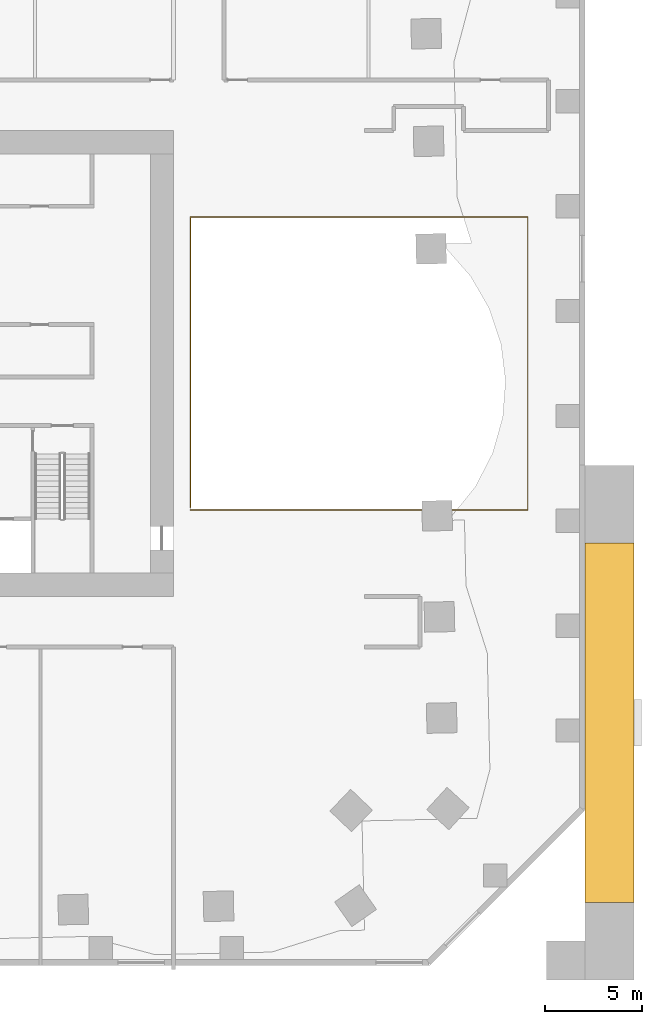
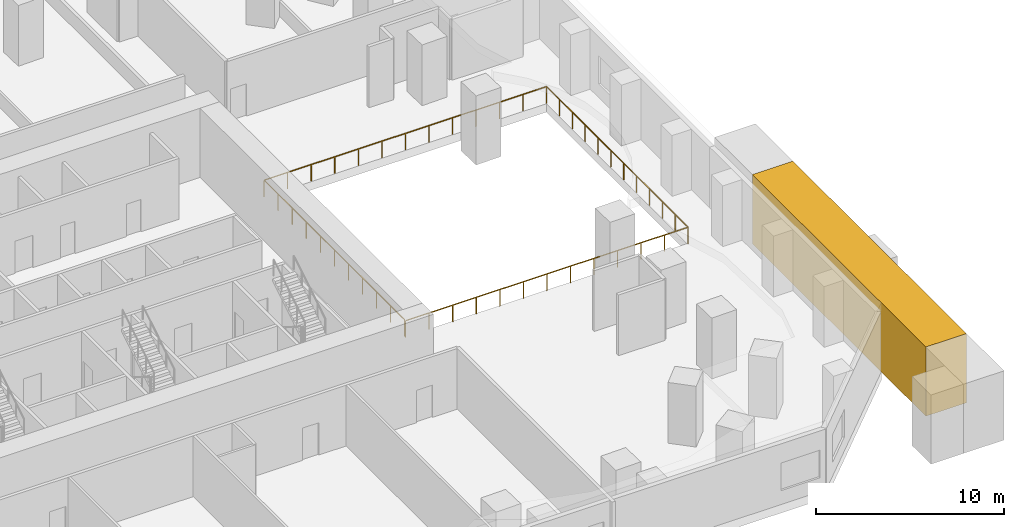
# One storey, part 12 of 12: 1 covering, 1 railing.
"""IFC4 building model written with IfcOpenShell, lengths in metres."""

from ifc_helpers import new_model, si_unit, direction, frame, frame_2d, origin, origin_2d, place, context, subcontext, project, spatial, rectangle, extrude, material, layer, layer_set, type_object, element, save


model = new_model("IFC4")

# Units and contexts
model_context = context("Model", 3, precision=1e-05, world=origin(), true_north=direction((0.0, 1.0)))
body_context = subcontext(model_context, "Body", "Model", "MODEL_VIEW")
ifc_project = project(units=[si_unit("LENGTHUNIT", "METRE"), si_unit("AREAUNIT", "SQUARE_METRE"), si_unit("VOLUMEUNIT", "CUBIC_METRE"), si_unit("PLANEANGLEUNIT", "RADIAN"), si_unit("MASSUNIT", "GRAM", prefix="KILO")], contexts=[model_context])

# Site, building, storey
site_placement = place(None, origin())
site = spatial("IfcSite", under=ifc_project, at=site_placement, CompositionType="ELEMENT")
building_placement = place(site_placement, origin())
building = spatial("IfcBuilding", under=site, at=building_placement, Name="Mangrove Gate Tower", CompositionType="ELEMENT")
storey_placement = place(building_placement, frame((0.0, 0.0, 25.0)))
storey = spatial("IfcBuildingStorey", under=building, at=storey_placement, Name="L05", CompositionType="ELEMENT", Elevation=25.0)

# Railing
ifc_material_1 = material(Name="Stainless steel grade 316 with laminated glass infill", Category="steel")
railing_type = type_object("IfcRailingType", Name="Balcony guard 1100", PredefinedType="GUARDRAIL", material=ifc_material_1)
railing_placement = place(storey_placement, frame((15.860107421875, -7.5400390625, 0.0)))
element("IfcRailing", 1, at=railing_placement, inside=storey, type_object=railing_type, Name="GUARD L05 atrium", PredefinedType="GUARDRAIL", context=body_context, shape_type="SweptSolid", body=[
    extrude(rectangle(XDim=0.048095703125, YDim=0.048095703125, at=origin_2d()), frame((0.0, 0.0, 1.076171875), z_axis=(1.0, 0.0, 0.0), x_axis=(0.0, 1.0, 0.0)), (0.0, 0.0, 1.0), 17.3798828125),
    extrude(rectangle(XDim=0.048095703125, YDim=0.048095703125, at=origin_2d()), frame((17.3798828125, 0.0, 1.076171875), z_axis=(0.0, 1.0, 0.0), x_axis=(-1.0, 0.0, 0.0)), (0.0, 0.0, 1.0), 15.080078125),
    extrude(rectangle(XDim=0.048095703125, YDim=0.048095703125, at=origin_2d()), frame((17.3798828125, 15.080078125, 1.076171875), z_axis=(-1.0, 0.0, 0.0), x_axis=(0.0, -1.0, 0.0)), (0.0, 0.0, 1.0), 17.3798828125),
    extrude(rectangle(XDim=0.048095703125, YDim=0.048095703125, at=origin_2d()), frame((0.0, 15.080078125, 1.076171875), z_axis=(0.0, -1.0, 0.0), x_axis=(1.0, 0.0, 0.0)), (0.0, 0.0, 1.0), 14.9599609375),
    extrude(rectangle(XDim=0.0419921875, YDim=0.0419921875, at=origin_2d()), origin(), (0.0, 0.0, 1.0), 1.052001953125),
    extrude(rectangle(XDim=0.0419921875, YDim=0.0419921875, at=origin_2d()), frame((1.4482421875, 0.0, 0.0)), (0.0, 0.0, 1.0), 1.052001953125),
    extrude(rectangle(XDim=0.0419921875, YDim=0.0419921875, at=origin_2d()), frame((2.896728515625, 0.0, 0.0)), (0.0, 0.0, 1.0), 1.052001953125),
    extrude(rectangle(XDim=0.0419921875, YDim=0.0419921875, at=origin_2d()), frame((4.344970703125, 0.0, 0.0)), (0.0, 0.0, 1.0), 1.052001953125),
    extrude(rectangle(XDim=0.0419921875, YDim=0.0419921875, at=origin_2d()), frame((5.793212890625, 0.0, 0.0)), (0.0, 0.0, 1.0), 1.052001953125),
    extrude(rectangle(XDim=0.0419921875, YDim=0.0419921875, at=origin_2d()), frame((7.24169921875, 0.0, 0.0)), (0.0, 0.0, 1.0), 1.052001953125),
    extrude(rectangle(XDim=0.0419921875, YDim=0.0419921875, at=origin_2d()), frame((8.68994140625, 0.0, 0.0)), (0.0, 0.0, 1.0), 1.052001953125),
    extrude(rectangle(XDim=0.0419921875, YDim=0.0419921875, at=origin_2d()), frame((10.13818359375, 0.0, 0.0)), (0.0, 0.0, 1.0), 1.052001953125),
    extrude(rectangle(XDim=0.0419921875, YDim=0.0419921875, at=origin_2d()), frame((11.586669921875, 0.0, 0.0)), (0.0, 0.0, 1.0), 1.052001953125),
    extrude(rectangle(XDim=0.0419921875, YDim=0.0419921875, at=origin_2d()), frame((13.034912109375, 0.0, 0.0)), (0.0, 0.0, 1.0), 1.052001953125),
    extrude(rectangle(XDim=0.0419921875, YDim=0.0419921875, at=origin_2d()), frame((14.483154296875, 0.0, 0.0)), (0.0, 0.0, 1.0), 1.052001953125),
    extrude(rectangle(XDim=0.0419921875, YDim=0.0419921875, at=origin_2d()), frame((15.931640625, 0.0, 0.0)), (0.0, 0.0, 1.0), 1.052001953125),
    extrude(rectangle(XDim=0.0419921875, YDim=0.0419921875, at=origin_2d()), frame((17.3798828125, 0.0, 0.0)), (0.0, 0.0, 1.0), 1.052001953125),
    extrude(rectangle(XDim=0.0419921875, YDim=0.0419921875, at=origin_2d()), frame((17.3798828125, 1.370849609375, 0.0)), (0.0, 0.0, 1.0), 1.052001953125),
    extrude(rectangle(XDim=0.0419921875, YDim=0.0419921875, at=origin_2d()), frame((17.3798828125, 2.741943359375, 0.0)), (0.0, 0.0, 1.0), 1.052001953125),
    extrude(rectangle(XDim=0.0419921875, YDim=0.0419921875, at=origin_2d()), frame((17.3798828125, 4.11279296875, 0.0)), (0.0, 0.0, 1.0), 1.052001953125),
    extrude(rectangle(XDim=0.0419921875, YDim=0.0419921875, at=origin_2d()), frame((17.3798828125, 5.483642578125, 0.0)), (0.0, 0.0, 1.0), 1.052001953125),
    extrude(rectangle(XDim=0.0419921875, YDim=0.0419921875, at=origin_2d()), frame((17.3798828125, 6.8544921875, 0.0)), (0.0, 0.0, 1.0), 1.052001953125),
    extrude(rectangle(XDim=0.0419921875, YDim=0.0419921875, at=origin_2d()), frame((17.3798828125, 8.2255859375, 0.0)), (0.0, 0.0, 1.0), 1.052001953125),
    extrude(rectangle(XDim=0.0419921875, YDim=0.0419921875, at=origin_2d()), frame((17.3798828125, 9.596435546875, 0.0)), (0.0, 0.0, 1.0), 1.052001953125),
    extrude(rectangle(XDim=0.0419921875, YDim=0.0419921875, at=origin_2d()), frame((17.3798828125, 10.96728515625, 0.0)), (0.0, 0.0, 1.0), 1.052001953125),
    extrude(rectangle(XDim=0.0419921875, YDim=0.0419921875, at=origin_2d()), frame((17.3798828125, 12.338134765625, 0.0)), (0.0, 0.0, 1.0), 1.052001953125),
    extrude(rectangle(XDim=0.0419921875, YDim=0.0419921875, at=origin_2d()), frame((17.3798828125, 13.709228515625, 0.0)), (0.0, 0.0, 1.0), 1.052001953125),
    extrude(rectangle(XDim=0.0419921875, YDim=0.0419921875, at=origin_2d()), frame((17.3798828125, 15.080078125, 0.0)), (0.0, 0.0, 1.0), 1.052001953125),
    extrude(rectangle(XDim=0.0419921875, YDim=0.0419921875, at=origin_2d()), frame((15.931640625, 15.080078125, 0.0)), (0.0, 0.0, 1.0), 1.052001953125),
    extrude(rectangle(XDim=0.0419921875, YDim=0.0419921875, at=origin_2d()), frame((14.483154296875, 15.080078125, 0.0)), (0.0, 0.0, 1.0), 1.052001953125),
    extrude(rectangle(XDim=0.0419921875, YDim=0.0419921875, at=origin_2d()), frame((13.034912109375, 15.080078125, 0.0)), (0.0, 0.0, 1.0), 1.052001953125),
    extrude(rectangle(XDim=0.0419921875, YDim=0.0419921875, at=origin_2d()), frame((11.586669921875, 15.080078125, 0.0)), (0.0, 0.0, 1.0), 1.052001953125),
    extrude(rectangle(XDim=0.0419921875, YDim=0.0419921875, at=origin_2d()), frame((10.13818359375, 15.080078125, 0.0)), (0.0, 0.0, 1.0), 1.052001953125),
    extrude(rectangle(XDim=0.0419921875, YDim=0.0419921875, at=origin_2d()), frame((8.68994140625, 15.080078125, 0.0)), (0.0, 0.0, 1.0), 1.052001953125),
    extrude(rectangle(XDim=0.0419921875, YDim=0.0419921875, at=origin_2d()), frame((7.24169921875, 15.080078125, 0.0)), (0.0, 0.0, 1.0), 1.052001953125),
    extrude(rectangle(XDim=0.0419921875, YDim=0.0419921875, at=origin_2d()), frame((5.793212890625, 15.080078125, 0.0)), (0.0, 0.0, 1.0), 1.052001953125),
    extrude(rectangle(XDim=0.0419921875, YDim=0.0419921875, at=origin_2d()), frame((4.344970703125, 15.080078125, 0.0)), (0.0, 0.0, 1.0), 1.052001953125),
    extrude(rectangle(XDim=0.0419921875, YDim=0.0419921875, at=origin_2d()), frame((2.896728515625, 15.080078125, 0.0)), (0.0, 0.0, 1.0), 1.052001953125),
    extrude(rectangle(XDim=0.0419921875, YDim=0.0419921875, at=origin_2d()), frame((1.4482421875, 15.080078125, 0.0)), (0.0, 0.0, 1.0), 1.052001953125),
    extrude(rectangle(XDim=0.0419921875, YDim=0.0419921875, at=origin_2d()), frame((0.0, 15.080078125, 0.0)), (0.0, 0.0, 1.0), 1.052001953125),
    extrude(rectangle(XDim=0.0419921875, YDim=0.0419921875, at=origin_2d()), frame((0.0, 13.583984375, 0.0)), (0.0, 0.0, 1.0), 1.052001953125),
    extrude(rectangle(XDim=0.0419921875, YDim=0.0419921875, at=origin_2d()), frame((0.0, 12.088134765625, 0.0)), (0.0, 0.0, 1.0), 1.052001953125),
    extrude(rectangle(XDim=0.0419921875, YDim=0.0419921875, at=origin_2d()), frame((0.0, 10.592041015625, 0.0)), (0.0, 0.0, 1.0), 1.052001953125),
    extrude(rectangle(XDim=0.0419921875, YDim=0.0419921875, at=origin_2d()), frame((0.0, 9.09619140625, 0.0)), (0.0, 0.0, 1.0), 1.052001953125),
    extrude(rectangle(XDim=0.0419921875, YDim=0.0419921875, at=origin_2d()), frame((0.0, 7.60009765625, 0.0)), (0.0, 0.0, 1.0), 1.052001953125),
    extrude(rectangle(XDim=0.0419921875, YDim=0.0419921875, at=origin_2d()), frame((0.0, 6.10400390625, 0.0)), (0.0, 0.0, 1.0), 1.052001953125),
    extrude(rectangle(XDim=0.0419921875, YDim=0.0419921875, at=origin_2d()), frame((0.0, 4.608154296875, 0.0)), (0.0, 0.0, 1.0), 1.052001953125),
    extrude(rectangle(XDim=0.0419921875, YDim=0.0419921875, at=origin_2d()), frame((0.0, 3.112060546875, 0.0)), (0.0, 0.0, 1.0), 1.052001953125),
    extrude(rectangle(XDim=0.0419921875, YDim=0.0419921875, at=origin_2d()), frame((0.0, 1.6162109375, 0.0)), (0.0, 0.0, 1.0), 1.052001953125),
    extrude(rectangle(XDim=0.0419921875, YDim=0.0419921875, at=origin_2d()), frame((0.0, 0.1201171875, 0.0)), (0.0, 0.0, 1.0), 1.052001953125),
])

# Covering
ifc_material_2 = material(Name="Limestone", Category="masonry")
ifc_layer_1 = layer(ifc_material_2, 0.06005859375, Name="Limestone cladding")
ifc_material_3 = material(Name="Concrete C40/50", Category="concrete")
ifc_layer_2 = layer(ifc_material_3, 2.340087890625, Name="Gate core wall")
ifc_layer_3 = layer(ifc_material_2, 0.10009765625, Name="Limestone reveal lining")
ifc_layer_set = layer_set([ifc_layer_1, ifc_layer_2, ifc_layer_3], Name="Stone gate head cladding 2500")
covering_type = type_object("IfcCoveringType", Name="Stone gate head cladding 2500", PredefinedType="CLADDING", material=ifc_layer_set)
covering_placement = place(storey_placement, frame((37.449951171875, -27.75, 0.0), z_axis=(0.0, 0.0, 1.0), x_axis=(0.0, 1.0, 0.0)))
element("IfcCovering", 2, at=covering_placement, inside=storey, type_object=covering_type, Name="ARCH LINTEL E", PredefinedType="CLADDING", context=body_context, shape_type="SweptSolid", body=[
    extrude(rectangle(XDim=18.5, YDim=2.5, at=frame_2d((9.25, 0.0))), origin(), (0.0, 0.0, 1.0), 4.5),
])

save(model, "model.ifc")
